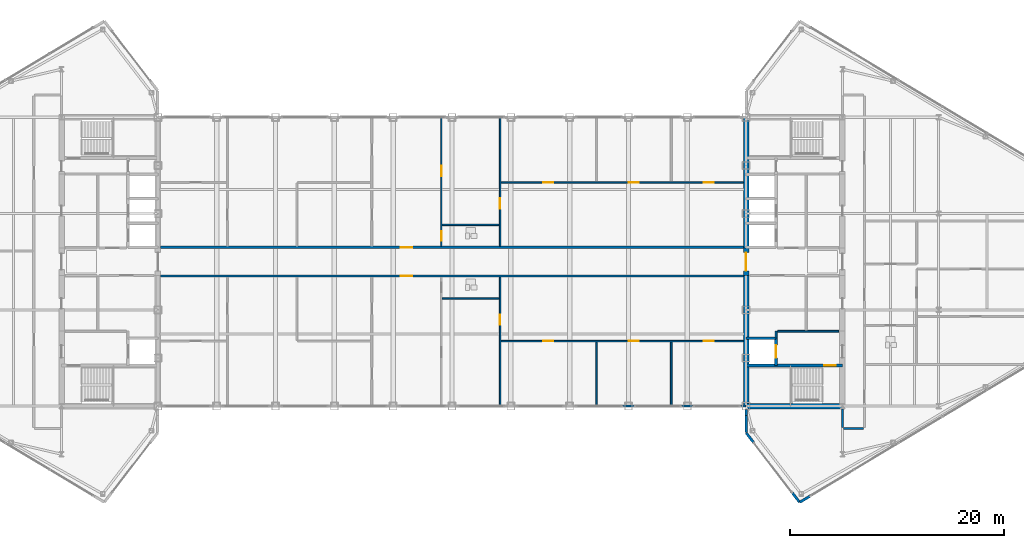
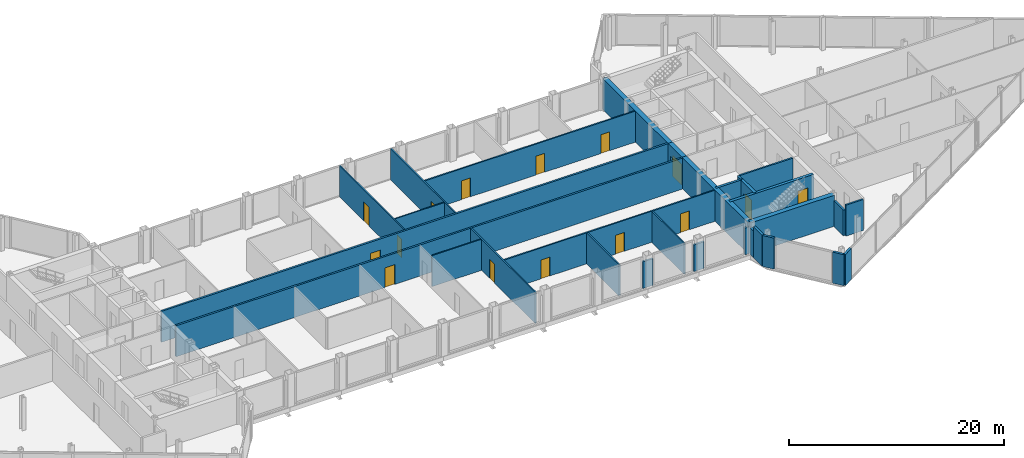
# One storey, part 23 of 28: 30 walls, 15 doors, 15 openings.
"""IFC4 building model written with IfcOpenShell, lengths in metres."""

import ifcopenshell
import ifcopenshell.guid

model = None  # the IFC model being written
_history = None  # IfcOwnerHistory: only IFC2X3 demands one
_inside = {}  # id of a spatial element -> (the spatial element, [elements in it])
_under = {}  # id of a project, library or spatial element -> (it, [spatial elements below it])
_declared = {}  # id of a project -> (the project, [libraries it declares])
_typed = {}  # id of a type object -> (the type object, [elements of that type])
_made_of = {}  # id of a material, layer set ... -> (it, [elements and type objects made of it])


def new_model(schema):
    """Start an empty IFC model of exactly this schema.

    Asked for "IFC4X3", IfcOpenShell would pick the latest addendum, in which some entities
    have other attributes; the version numbers below select the first issue.
    IFC2X3 requires an IfcOwnerHistory on every rooted entity: one is made here for all.
    """
    global model, _history
    if schema == "IFC4X3":
        model = ifcopenshell.file(schema_version=(4, 3, 0, 0))
    else:
        model = ifcopenshell.file(schema=schema)
    _inside.clear()
    _under.clear()
    _declared.clear()
    _typed.clear()
    _made_of.clear()
    _history = None
    if model.schema == "IFC2X3":
        org = make("IfcOrganization", Name="unknown")
        user = make(
            "IfcPersonAndOrganization",
            ThePerson=make("IfcPerson", FamilyName="unknown"),
            TheOrganization=org,
        )
        app = make(
            "IfcApplication",
            ApplicationDeveloper=org,
            Version="unknown",
            ApplicationFullName="unknown",
            ApplicationIdentifier="unknown",
        )
        _history = make(
            "IfcOwnerHistory",
            OwningUser=user,
            OwningApplication=app,
            ChangeAction="ADDED",
            CreationDate=0,
        )
    return model


def make(cls, **values):
    """One entity of the class cls with the attributes given. An attribute that is None is left unset."""
    return model.create_entity(
        cls, **{name: value for name, value in values.items() if value is not None}
    )


def rooted(cls, **values):
    """An entity with a GlobalId (a new one), such as an element, a storey or a relation."""
    return make(cls, GlobalId=ifcopenshell.guid.new(), OwnerHistory=_history, **values)


def si_unit(unit_type, name, prefix=None):
    """IfcSIUnit, for example si_unit("LENGTHUNIT", "METRE", prefix="MILLI")."""
    return make("IfcSIUnit", UnitType=unit_type, Prefix=prefix, Name=name)


def assignment(units):
    """IfcUnitAssignment: the units of a project."""
    return None if units is None else make("IfcUnitAssignment", Units=units)


def point(xyz):
    """IfcCartesianPoint."""
    return None if xyz is None else make("IfcCartesianPoint", Coordinates=xyz)


def direction(xyz):
    """IfcDirection."""
    return None if xyz is None else make("IfcDirection", DirectionRatios=xyz)


def frame(location, z_axis=None, x_axis=None):
    """IfcAxis2Placement3D, a coordinate frame: its origin and axes. An axis left out is left unset."""
    return make(
        "IfcAxis2Placement3D",
        Location=point(location),
        Axis=direction(z_axis),
        RefDirection=direction(x_axis),
    )


def frame_2d(location, x_axis=None):
    """IfcAxis2Placement2D, a coordinate frame in the plane: its origin and x axis."""
    return make(
        "IfcAxis2Placement2D", Location=point(location), RefDirection=direction(x_axis)
    )


def origin():
    """The frame at (0, 0, 0) with its axes left unset."""
    return frame((0.0, 0.0, 0.0))


def place(relative_to, where):
    """IfcLocalPlacement: puts the frame where relative to a parent placement (None: the world)."""
    return make(
        "IfcLocalPlacement", PlacementRelTo=relative_to, RelativePlacement=where
    )


def context(
    kind, dimensions, precision=None, world=None, true_north=None, identifier=None
):
    """IfcGeometricRepresentationContext, for example the 3D "Model" context."""
    return make(
        "IfcGeometricRepresentationContext",
        ContextIdentifier=identifier,
        ContextType=kind,
        CoordinateSpaceDimension=dimensions,
        Precision=precision,
        WorldCoordinateSystem=world,
        TrueNorth=true_north,
    )


def subcontext(parent, identifier, kind, view, scale=None):
    """IfcGeometricRepresentationSubContext, for example "Body" below "Model"."""
    return make(
        "IfcGeometricRepresentationSubContext",
        ContextIdentifier=identifier,
        ContextType=kind,
        ParentContext=parent,
        TargetScale=scale,
        TargetView=view,
    )


def project(units=None, contexts=None):
    """IfcProject with its units and contexts."""
    return rooted(
        "IfcProject",
        Name="project",
        RepresentationContexts=contexts,
        UnitsInContext=assignment(units),
    )


def spatial(cls, under=None, at=None, **own):
    """A site, building, storey or space (cls), placed at a placement, below another one or the project."""
    s = rooted(cls, ObjectPlacement=at, **own)
    if under is not None:
        _under.setdefault(under.id(), (under, []))[1].append(s)
    return s


def profile(cls, at=None, kind="AREA", **sizes):
    """A parametric profile (cls). Its sizes go by their IFC names, for example OverallWidth=200.0."""
    return make(cls, ProfileType=kind, Position=at, **sizes)


def rectangle(**sizes):
    """IfcRectangleProfileDef."""
    return profile("IfcRectangleProfileDef", **sizes)


def extrude(swept, where, along, depth):
    """IfcExtrudedAreaSolid: the profile swept, set in the frame where, extruded along a direction by depth."""
    return make(
        "IfcExtrudedAreaSolid",
        SweptArea=swept,
        Position=where,
        ExtrudedDirection=direction(along),
        Depth=depth,
    )


def shape(context_of_items, identifier, shape_type, items):
    """IfcShapeRepresentation: the items that make up one representation, for example the "Body"."""
    return make(
        "IfcShapeRepresentation",
        ContextOfItems=context_of_items,
        RepresentationIdentifier=identifier,
        RepresentationType=shape_type,
        Items=items,
    )


def source(mapping_origin, context_of_items, identifier, shape_type, items):
    """IfcRepresentationMap: a shape defined once, which mapped items show again and again."""
    return make(
        "IfcRepresentationMap",
        MappingOrigin=mapping_origin,
        MappedRepresentation=shape(context_of_items, identifier, shape_type, items),
    )


def transform(
    local_origin,
    x_axis=None,
    y_axis=None,
    z_axis=None,
    scale=None,
    scale2=None,
    scale3=None,
    uniform=True,
):
    """IfcCartesianTransformationOperator3D, or its non-uniform kind. x_axis, y_axis, z_axis: its Axis1, 2, 3."""
    if uniform:
        return make(
            "IfcCartesianTransformationOperator3D",
            Axis1=direction(x_axis),
            Axis2=direction(y_axis),
            LocalOrigin=point(local_origin),
            Scale=scale,
            Axis3=direction(z_axis),
        )
    return make(
        "IfcCartesianTransformationOperator3DnonUniform",
        Axis1=direction(x_axis),
        Axis2=direction(y_axis),
        LocalOrigin=point(local_origin),
        Scale=scale,
        Axis3=direction(z_axis),
        Scale2=scale2,
        Scale3=scale3,
    )


def mapped(mapping_source, mapping_target):
    """IfcMappedItem: shows the shape of a source again, moved by a transform."""
    return make(
        "IfcMappedItem", MappingSource=mapping_source, MappingTarget=mapping_target
    )


def material(Name=None, Category=None):
    """IfcMaterial."""
    return make("IfcMaterial", Name=Name, Category=Category)


def layer(
    of_material, thickness, ventilated=None, Name=None, Category=None, Priority=None
):
    """IfcMaterialLayer: one layer of a wall or slab, of a material (None: an air gap)."""
    return make(
        "IfcMaterialLayer",
        Material=of_material,
        LayerThickness=thickness,
        IsVentilated=ventilated,
        Name=Name,
        Category=Category,
        Priority=Priority,
    )


def layer_set(layers, Name=None):
    """IfcMaterialLayerSet."""
    return make("IfcMaterialLayerSet", MaterialLayers=layers, LayerSetName=Name)


def made_of(thing, what):
    """Note that an element or type object is made of a material, layer set ...; save() writes the relation."""
    if what is not None:
        _made_of.setdefault(what.id(), (what, []))[1].append(thing)
    return thing


def type_object(cls, material=None, **own):
    """A type object (cls), such as IfcWallType, which elements share."""
    return made_of(rooted(cls, **own), material)


def type_shapes(of_type, sources):
    """Give a type object the sources (RepresentationMaps) that its elements show as mapped items."""
    of_type.RepresentationMaps = sources


def element(
    cls,
    number,
    at=None,
    inside=None,
    cuts=None,
    type_object=None,
    material=None,
    context=None,
    identifier="Body",
    shape_type=None,
    held_by="IfcProductDefinitionShape",
    body=None,
    shapes=None,
    **own,
):
    """One element of the class cls, such as IfcWall. Its Tag is "e" and its number.

    at: its placement. inside: the storey or other place that contains it. cuts: it is an
    opening in that element (IfcRelVoidsElement). A single representation is given by context,
    identifier, shape_type and body (its items); several are given by shapes. held_by: the class
    of the entity that holds the representations. save() writes the other relations.
    """
    e = rooted(cls, Tag="e%d" % number, ObjectPlacement=at, **own)
    if body is not None:
        shapes = [shape(context, identifier, shape_type, body)]
    if shapes is not None:
        e.Representation = make(held_by, Representations=shapes)
    if inside is not None:
        _inside.setdefault(inside.id(), (inside, []))[1].append(e)
    if cuts is not None:
        rooted(
            "IfcRelVoidsElement", RelatingBuildingElement=cuts, RelatedOpeningElement=e
        )
    if type_object is not None:
        _typed.setdefault(type_object.id(), (type_object, []))[1].append(e)
    return made_of(e, material)


def fill(opening, filler):
    """IfcRelFillsElement: the door or window that sits in an opening."""
    return rooted(
        "IfcRelFillsElement",
        RelatingOpeningElement=opening,
        RelatedBuildingElement=filler,
    )


def aggregate(whole, parts):
    """IfcRelAggregates: a whole, such as a stair, and the parts it consists of."""
    return rooted("IfcRelAggregates", RelatingObject=whole, RelatedObjects=parts)


def save(model, path):
    """Write the relations noted so far, then the file.

    IfcRelAggregates (storeys below a building ...), IfcRelContainedInSpatialStructure (elements
    in a storey), IfcRelDefinesByType, IfcRelAssociatesMaterial and IfcRelDeclares: one each for
    every whole, place, type object, material and project.
    """
    for whole, parts in _under.values():
        aggregate(whole, parts)
    for where, things in _inside.values():
        rooted(
            "IfcRelContainedInSpatialStructure",
            RelatedElements=things,
            RelatingStructure=where,
        )
    for kind, things in _typed.values():
        rooted("IfcRelDefinesByType", RelatedObjects=things, RelatingType=kind)
    for what, things in _made_of.values():
        rooted("IfcRelAssociatesMaterial", RelatedObjects=things, RelatingMaterial=what)
    for by, libraries in _declared.values():
        rooted("IfcRelDeclares", RelatingContext=by, RelatedDefinitions=libraries)
    model.write(path)


model = new_model("IFC4")

# Units and contexts
model_context = context("Model", 3, precision=1e-05, world=origin(), true_north=direction((0.0, 1.0)))
body_context = subcontext(model_context, "Body", "Model", "MODEL_VIEW")
ifc_project = project(units=[si_unit("LENGTHUNIT", "METRE"), si_unit("AREAUNIT", "SQUARE_METRE"), si_unit("VOLUMEUNIT", "CUBIC_METRE"), si_unit("PLANEANGLEUNIT", "RADIAN"), si_unit("MASSUNIT", "GRAM", prefix="KILO")], contexts=[model_context])

# Site, building, storey
site_placement = place(None, origin())
site = spatial("IfcSite", under=ifc_project, at=site_placement, CompositionType="ELEMENT")
building_placement = place(site_placement, origin())
building = spatial("IfcBuilding", under=site, at=building_placement, Name="Seokmaru Belvedere", CompositionType="ELEMENT")
storey_placement = place(building_placement, frame((0.0, 0.0, 261.89990234375)))
storey = spatial("IfcBuildingStorey", under=building, at=storey_placement, Name="L69", CompositionType="ELEMENT", Elevation=261.89990234375)

# Wall, openings, doors
ifc_material_1 = material(Name="Fire-Rated Gypsum Shaftwall")
ifc_layer_1 = layer(ifc_material_1, 0.14990234375)
ifc_layer_set_1 = layer_set([ifc_layer_1], Name="Fire-Rated Gypsum Shaftwall")
wall_type_1 = type_object("IfcWallType", Name="Apartment Fire-Acoustic Room Partition 150", PredefinedType="PARTITIONING", material=ifc_layer_set_1)
wall_1_placement = place(storey_placement, frame((4.5849609375, -7.419921875, 0.0), z_axis=(0.0, 0.0, 1.0), x_axis=(1.0, 0.0, 0.0)))
wall_1 = element("IfcWall", 1, at=wall_1_placement, inside=storey, type_object=wall_type_1, Name="L69 Interior Partition 006", PredefinedType="PARTITIONING", context=body_context, shape_type="SweptSolid", body=[
    extrude(rectangle(XDim=22.66015625, YDim=0.14990234375, at=frame_2d((11.330078125, 0.0))), origin(), (0.0, 0.0, 1.0), 3.530029296875),
])
opening_1_placement = place(wall_1_placement, frame((3.93994140625, 0.0, 0.0)))
opening_1 = element("IfcOpeningElement", 2, at=opening_1_placement, cuts=wall_1, Name="Opening D05", PredefinedType="OPENING", context=body_context, shape_type="SweptSolid", body=[
    extrude(rectangle(XDim=0.949951171875, YDim=2.14990234375, at=frame_2d((0.47509765625, 1.074951171875))), frame((0.0, 0.0849609375, 0.0), z_axis=(0.0, -1.0, 0.0), x_axis=(1.0, 0.0, 0.0)), (0.0, 0.0, 1.0), 0.169921875),
])
opening_2_placement = place(wall_1_placement, frame((11.93994140625, 0.0, 0.0)))
opening_2 = element("IfcOpeningElement", 3, at=opening_2_placement, cuts=wall_1, Name="Opening D05", PredefinedType="OPENING", context=body_context, shape_type="SweptSolid", body=[
    extrude(rectangle(XDim=0.949951171875, YDim=2.14990234375, at=frame_2d((0.47509765625, 1.074951171875))), frame((0.0, 0.0849609375, 0.0), z_axis=(0.0, -1.0, 0.0), x_axis=(1.0, 0.0, 0.0)), (0.0, 0.0, 1.0), 0.169921875),
])
opening_3_placement = place(wall_1_placement, frame((18.93994140625, 0.0, 0.0)))
opening_3 = element("IfcOpeningElement", 4, at=opening_3_placement, cuts=wall_1, Name="Opening D05", PredefinedType="OPENING", context=body_context, shape_type="SweptSolid", body=[
    extrude(rectangle(XDim=0.949951171875, YDim=2.14990234375, at=frame_2d((0.47509765625, 1.074951171875))), frame((0.0, 0.0849609375, 0.0), z_axis=(0.0, -1.0, 0.0), x_axis=(1.0, 0.0, 0.0)), (0.0, 0.0, 1.0), 0.169921875),
])
ifc_material_2 = material(Name="Engineered White Oak Timber", Category="wood")
door_type_1 = type_object("IfcDoorType", Name="Apartment Interior Fire-Rated Oak Door 950x2150", OperationType="NOTDEFINED", PredefinedType="DOOR", material=ifc_material_2)
shared_shape_1 = source(origin(), body_context, "Body", "SweptSolid", [
    extrude(rectangle(XDim=0.949951171875, YDim=2.14990234375, at=frame_2d((0.47509765625, 1.074951171875))), frame((0.0, 0.02490234375, 0.0), z_axis=(0.0, -1.0, 0.0), x_axis=(1.0, 0.0, 0.0)), (0.0, 0.0, 1.0), 0.050048828125),
])
type_shapes(door_type_1, [shared_shape_1])
door_1_placement = place(opening_1_placement, origin())
door_1 = element("IfcDoor", 5, at=door_1_placement, inside=storey, type_object=door_type_1, Name="L69 Interior Door 022", OperationType="SINGLE_SWING_LEFT", OverallHeight=2.14990234375, OverallWidth=0.949951171875, PredefinedType="DOOR", context=body_context, shape_type="MappedRepresentation", body=[
    mapped(shared_shape_1, transform((0.0, 0.0, 0.0), scale=1.0)),
])
fill(opening_1, door_1)
door_2_placement = place(opening_2_placement, origin())
door_2 = element("IfcDoor", 6, at=door_2_placement, inside=storey, type_object=door_type_1, Name="L69 Interior Door 023", OperationType="SINGLE_SWING_RIGHT", OverallHeight=2.14990234375, OverallWidth=0.949951171875, PredefinedType="DOOR", context=body_context, shape_type="MappedRepresentation", body=[
    mapped(shared_shape_1, transform((0.0, 0.0, 0.0), scale=1.0)),
])
fill(opening_2, door_2)
door_3_placement = place(opening_3_placement, origin())
door_3 = element("IfcDoor", 7, at=door_3_placement, inside=storey, type_object=door_type_1, Name="L69 Interior Door 024", OperationType="SINGLE_SWING_LEFT", OverallHeight=2.14990234375, OverallWidth=0.949951171875, PredefinedType="DOOR", context=body_context, shape_type="MappedRepresentation", body=[
    mapped(shared_shape_1, transform((0.0, 0.0, 0.0), scale=1.0)),
])
fill(opening_3, door_3)

wall_2_placement = place(storey_placement, frame((4.5849609375, 7.419921875, 0.0), z_axis=(0.0, 0.0, 1.0), x_axis=(1.0, 0.0, 0.0)))
wall_2 = element("IfcWall", 8, at=wall_2_placement, inside=storey, type_object=wall_type_1, Name="L69 Interior Partition 019", PredefinedType="PARTITIONING", context=body_context, shape_type="SweptSolid", body=[
    extrude(rectangle(XDim=22.66015625, YDim=0.14990234375, at=frame_2d((11.330078125, 0.0))), origin(), (0.0, 0.0, 1.0), 3.530029296875),
])
opening_4_placement = place(wall_2_placement, frame((3.93994140625, 0.0, 0.0)))
opening_4 = element("IfcOpeningElement", 9, at=opening_4_placement, cuts=wall_2, Name="Opening D05", PredefinedType="OPENING", context=body_context, shape_type="SweptSolid", body=[
    extrude(rectangle(XDim=0.949951171875, YDim=2.14990234375, at=frame_2d((0.47509765625, 1.074951171875))), frame((0.0, 0.0849609375, 0.0), z_axis=(0.0, -1.0, 0.0), x_axis=(1.0, 0.0, 0.0)), (0.0, 0.0, 1.0), 0.169921875),
])
opening_5_placement = place(wall_2_placement, frame((11.93994140625, 0.0, 0.0)))
opening_5 = element("IfcOpeningElement", 10, at=opening_5_placement, cuts=wall_2, Name="Opening D05", PredefinedType="OPENING", context=body_context, shape_type="SweptSolid", body=[
    extrude(rectangle(XDim=0.949951171875, YDim=2.14990234375, at=frame_2d((0.47509765625, 1.074951171875))), frame((0.0, 0.0849609375, 0.0), z_axis=(0.0, -1.0, 0.0), x_axis=(1.0, 0.0, 0.0)), (0.0, 0.0, 1.0), 0.169921875),
])
opening_6_placement = place(wall_2_placement, frame((18.93994140625, 0.0, 0.0)))
opening_6 = element("IfcOpeningElement", 11, at=opening_6_placement, cuts=wall_2, Name="Opening D05", PredefinedType="OPENING", context=body_context, shape_type="SweptSolid", body=[
    extrude(rectangle(XDim=0.949951171875, YDim=2.14990234375, at=frame_2d((0.47509765625, 1.074951171875))), frame((0.0, 0.0849609375, 0.0), z_axis=(0.0, -1.0, 0.0), x_axis=(1.0, 0.0, 0.0)), (0.0, 0.0, 1.0), 0.169921875),
])
door_4_placement = place(opening_4_placement, origin())
door_4 = element("IfcDoor", 12, at=door_4_placement, inside=storey, type_object=door_type_1, Name="L69 Interior Door 033", OperationType="SINGLE_SWING_LEFT", OverallHeight=2.14990234375, OverallWidth=0.949951171875, PredefinedType="DOOR", context=body_context, shape_type="MappedRepresentation", body=[
    mapped(shared_shape_1, transform((0.0, 0.0, 0.0), scale=1.0)),
])
fill(opening_4, door_4)
door_5_placement = place(opening_5_placement, origin())
door_5 = element("IfcDoor", 13, at=door_5_placement, inside=storey, type_object=door_type_1, Name="L69 Interior Door 034", OperationType="SINGLE_SWING_RIGHT", OverallHeight=2.14990234375, OverallWidth=0.949951171875, PredefinedType="DOOR", context=body_context, shape_type="MappedRepresentation", body=[
    mapped(shared_shape_1, transform((0.0, 0.0, 0.0), scale=1.0)),
])
fill(opening_5, door_5)
door_6_placement = place(opening_6_placement, origin())
door_6 = element("IfcDoor", 14, at=door_6_placement, inside=storey, type_object=door_type_1, Name="L69 Interior Door 035", OperationType="SINGLE_SWING_LEFT", OverallHeight=2.14990234375, OverallWidth=0.949951171875, PredefinedType="DOOR", context=body_context, shape_type="MappedRepresentation", body=[
    mapped(shared_shape_1, transform((0.0, 0.0, 0.0), scale=1.0)),
])
fill(opening_6, door_6)

# Wall, opening, door
wall_3_placement = place(storey_placement, frame((4.5, -13.5, 0.0), z_axis=(0.0, 0.0, 1.0), x_axis=(0.0, 1.0, 0.0)))
wall_3 = element("IfcWall", 15, at=wall_3_placement, inside=storey, type_object=wall_type_1, Name="L69 Interior Partition 033", PredefinedType="PARTITIONING", context=body_context, shape_type="SweptSolid", body=[
    extrude(rectangle(XDim=12.06494140625, YDim=0.14990234375, at=frame_2d((6.032470703125, 0.0))), origin(), (0.0, 0.0, 1.0), 3.530029296875),
])
opening_7_placement = place(wall_3_placement, frame((7.58740234375, 0.0, 0.0)))
opening_7 = element("IfcOpeningElement", 16, at=opening_7_placement, cuts=wall_3, Name="Opening D05", PredefinedType="OPENING", context=body_context, shape_type="SweptSolid", body=[
    extrude(rectangle(XDim=0.949951171875, YDim=2.14990234375, at=frame_2d((0.47509765625, 1.074951171875))), frame((0.0, 0.0849609375, 0.0), z_axis=(0.0, -1.0, 0.0), x_axis=(1.0, 0.0, 0.0)), (0.0, 0.0, 1.0), 0.169921875),
])
door_7_placement = place(opening_7_placement, origin())
door_7 = element("IfcDoor", 17, at=door_7_placement, inside=storey, type_object=door_type_1, Name="L69 Interior Door 021", OperationType="SINGLE_SWING_LEFT", OverallHeight=2.14990234375, OverallWidth=0.949951171875, PredefinedType="DOOR", context=body_context, shape_type="MappedRepresentation", body=[
    mapped(shared_shape_1, transform((0.0, 0.0, 0.0), scale=1.0)),
])
fill(opening_7, door_7)

wall_4_placement = place(storey_placement, frame((4.5, 1.43505859375, 0.0), z_axis=(0.0, 0.0, 1.0), x_axis=(0.0, 1.0, 0.0)))
wall_4 = element("IfcWall", 18, at=wall_4_placement, inside=storey, type_object=wall_type_1, Name="L69 Interior Partition 034", PredefinedType="PARTITIONING", context=body_context, shape_type="SweptSolid", body=[
    extrude(rectangle(XDim=12.06494140625, YDim=0.14990234375, at=frame_2d((6.032470703125, 0.0))), origin(), (0.0, 0.0, 1.0), 3.530029296875),
])
opening_8_placement = place(wall_4_placement, frame((3.527587890625, 0.0, 0.0)))
opening_8 = element("IfcOpeningElement", 19, at=opening_8_placement, cuts=wall_4, Name="Opening D05", PredefinedType="OPENING", context=body_context, shape_type="SweptSolid", body=[
    extrude(rectangle(XDim=0.949951171875, YDim=2.14990234375, at=frame_2d((0.47509765625, 1.074951171875))), frame((0.0, 0.0849609375, 0.0), z_axis=(0.0, -1.0, 0.0), x_axis=(1.0, 0.0, 0.0)), (0.0, 0.0, 1.0), 0.169921875),
])
door_8_placement = place(opening_8_placement, origin())
door_8 = element("IfcDoor", 20, at=door_8_placement, inside=storey, type_object=door_type_1, Name="L69 Interior Door 032", OperationType="SINGLE_SWING_LEFT", OverallHeight=2.14990234375, OverallWidth=0.949951171875, PredefinedType="DOOR", context=body_context, shape_type="MappedRepresentation", body=[
    mapped(shared_shape_1, transform((0.0, 0.0, 0.0), scale=1.0)),
])
fill(opening_8, door_8)

# Walls
for number, where, z_axis, x_axis, name in (
    (21, (13.5, -13.5, 0.0), (0.0, 0.0, 1.0), (0.0, 1.0, 0.0), "L69 Interior Partition 035"),
    (22, (20.5, -13.5, 0.0), (0.0, 0.0, 1.0), (0.0, 1.0, 0.0), "L69 Interior Partition 037"),
):
    element("IfcWall", number, at=place(storey_placement, frame(where, z_axis=z_axis, x_axis=x_axis)), inside=storey, type_object=wall_type_1, Name=name, PredefinedType="PARTITIONING", context=body_context, shape_type="SweptSolid", body=[
        extrude(rectangle(XDim=5.989990234375, YDim=0.14990234375, at=frame_2d((2.9951171875, 0.0))), origin(), (0.0, 0.0, 1.0), 3.530029296875),
    ])
ifc_material_3 = material(Name="Anodised Bronze Aluminium", Category="aluminium")
ifc_layer_2 = layer(ifc_material_3, 0.2099609375)
ifc_layer_set_2 = layer_set([ifc_layer_2], Name="Anodised Bronze Aluminium")
wall_type_2 = type_object("IfcWallType", Name="Bridge Column Spandrel Closure Pier 210", PredefinedType="SOLIDWALL", material=ifc_layer_set_2)
for number, where, z_axis, x_axis, name in (
    (23, (15.949951171875, -13.5, 0.0), (0.0, 0.0, 1.0), (1.0, 0.0, 0.0), "L69 Bridge South Column Closure Pier 09"),
    (24, (21.449951171875, -13.5, 0.0), (0.0, 0.0, 1.0), (1.0, 0.0, 0.0), "L69 Bridge South Column Closure Pier 10"),
):
    element("IfcWall", number, at=place(storey_placement, frame(where, z_axis=z_axis, x_axis=x_axis)), inside=storey, type_object=wall_type_2, Name=name, PredefinedType="SOLIDWALL", context=body_context, shape_type="SweptSolid", body=[
        extrude(rectangle(XDim=1.10009765625, YDim=0.2099609375, at=frame_2d((0.550048828125, 0.0))), origin(), (0.0, 0.0, 1.0), 3.030029296875),
    ])
wall_5_placement = place(storey_placement, frame((26.949951171875, -13.5, 0.0), z_axis=(0.0, 0.0, 1.0), x_axis=(1.0, 0.0, 0.0)))
element("IfcWall", 25, at=wall_5_placement, inside=storey, type_object=wall_type_2, Name="L69 Bridge South Column Closure Pier 11", PredefinedType="SOLIDWALL", context=body_context, shape_type="SweptSolid", body=[
    extrude(rectangle(XDim=0.5400390625, YDim=0.2099609375, at=frame_2d((0.27001953125, 0.0))), origin(), (0.0, 0.0, 1.0), 3.030029296875),
])
ifc_layer_3 = layer(ifc_material_1, 0.179931640625)
ifc_layer_set_3 = layer_set([ifc_layer_3], Name="Fire-Rated Gypsum Shaftwall")
wall_type_3 = type_object("IfcWallType", Name="Core Service Fire Partition 180", PredefinedType="PARTITIONING", material=ifc_layer_set_3)
wall_6_placement = place(storey_placement, frame((30.449951171875, -6.5, 0.0), z_axis=(0.0, 0.0, 1.0), x_axis=(1.0, 0.0, 0.0)))
element("IfcWall", 26, at=wall_6_placement, inside=storey, type_object=wall_type_3, Name="L69 East Firefighting Lobby Partition", PredefinedType="PARTITIONING", context=body_context, shape_type="SweptSolid", body=[
    extrude(rectangle(XDim=5.699951171875, YDim=0.179931640625, at=frame_2d((2.85009765625, 0.0))), origin(), (0.0, 0.0, 1.0), 3.530029296875),
])
wall_7_placement = place(storey_placement, frame((30.300048828125, -7.1201171875, 0.0), z_axis=(0.0, 0.0, 1.0), x_axis=(0.0, 1.0, 0.0)))
element("IfcWall", 27, at=wall_7_placement, inside=storey, type_object=wall_type_3, Name="L69 East Firefighting Lobby East Closure Wall", PredefinedType="PARTITIONING", context=body_context, shape_type="SweptSolid", body=[
    extrude(rectangle(XDim=0.6201171875, YDim=0.179931640625, at=frame_2d((0.31005859375, 0.0))), origin(), (0.0, 0.0, 1.0), 3.530029296875),
])
ifc_material_4 = material(Name="Concrete C50 (50 MPa)", Category="concrete")
ifc_layer_4 = layer(ifc_material_4, 0.25)
ifc_layer_set_4 = layer_set([ifc_layer_4], Name="Concrete C50 (50 MPa)")
wall_type_4 = type_object("IfcWallType", Name="Hoistway Transverse Concrete Divider Wall 250", PredefinedType="SHEAR", material=ifc_layer_set_4)
wall_8_placement = place(storey_placement, frame((27.5, -7.14990234375, 0.0), z_axis=(0.0, 0.0, 1.0), x_axis=(1.0, 0.0, 0.0)))
element("IfcWall", 28, at=wall_8_placement, inside=storey, type_object=wall_type_4, Name="L69 East Hoistway Divider Core Wall 1", PredefinedType="SHEAR", context=body_context, shape_type="SweptSolid", body=[
    extrude(rectangle(XDim=2.800048828125, YDim=0.25, at=frame_2d((1.39990234375, 0.0))), origin(), (0.0, 0.0, 1.0), 3.530029296875),
])
ifc_layer_5 = layer(ifc_material_1, 0.199951171875)
ifc_layer_set_5 = layer_set([ifc_layer_5], Name="Fire-Rated Gypsum Shaftwall")
wall_type_5 = type_object("IfcWallType", Name="Inter-Tenancy Fire Compartment Partition 200", PredefinedType="PARTITIONING", material=ifc_layer_set_5)
wall_9_placement = place(storey_placement, frame((36.5849609375, -15.60009765625, 0.0), z_axis=(0.0, 0.0, 1.0), x_axis=(1.0, 0.0, 0.0)))
element("IfcWall", 29, at=wall_9_placement, inside=storey, type_object=wall_type_5, Name="L69 Interior Partition 002", PredefinedType="PARTITIONING", context=body_context, shape_type="SweptSolid", body=[
    extrude(rectangle(XDim=1.880126953125, YDim=0.199951171875, at=frame_2d((0.93994140625, 0.0))), origin(), (0.0, 0.0, 1.0), 3.530029296875),
])

# Wall, opening, door
wall_10_placement = place(storey_placement, frame((-27.2451171875, -1.35009765625, 0.0), z_axis=(0.0, 0.0, 1.0), x_axis=(1.0, 0.0, 0.0)))
wall_10 = element("IfcWall", 30, at=wall_10_placement, inside=storey, type_object=wall_type_5, Name="L69 Interior Partition 010", PredefinedType="PARTITIONING", context=body_context, shape_type="SweptSolid", body=[
    extrude(rectangle(XDim=54.490234375, YDim=0.199951171875, at=frame_2d((27.2451171875, 0.0))), origin(), (0.0, 0.0, 1.0), 3.530029296875),
])
opening_9_placement = place(wall_10_placement, frame((22.469970703125, 0.0, 0.0)))
opening_9 = element("IfcOpeningElement", 31, at=opening_9_placement, cuts=wall_10, Name="Opening D03", PredefinedType="OPENING", context=body_context, shape_type="SweptSolid", body=[
    extrude(rectangle(XDim=1.050048828125, YDim=2.25, at=frame_2d((0.52490234375, 1.125))), frame((0.0, 0.10986328125, 0.0), z_axis=(0.0, -1.0, 0.0), x_axis=(1.0, 0.0, 0.0)), (0.0, 0.0, 1.0), 0.219970703125),
])
ifc_material_5 = material(Name="Fire-Rated Steel Leaf", Category="steel")
door_type_2 = type_object("IfcDoorType", Name="Apartment Entrance Fire Door 1050x2250", OperationType="NOTDEFINED", PredefinedType="DOOR", material=ifc_material_5)
shared_shape_2 = source(origin(), body_context, "Body", "SweptSolid", [
    extrude(rectangle(XDim=1.050048828125, YDim=2.25, at=frame_2d((0.52490234375, 1.125))), frame((0.0, 0.02490234375, 0.0), z_axis=(0.0, -1.0, 0.0), x_axis=(1.0, 0.0, 0.0)), (0.0, 0.0, 1.0), 0.050048828125),
])
type_shapes(door_type_2, [shared_shape_2])
door_9_placement = place(opening_9_placement, origin())
door_9 = element("IfcDoor", 32, at=door_9_placement, inside=storey, type_object=door_type_2, Name="L69 Interior Door 014", OperationType="SINGLE_SWING_LEFT", OverallHeight=2.25, OverallWidth=1.050048828125, PredefinedType="DOOR", context=body_context, shape_type="MappedRepresentation", body=[
    mapped(shared_shape_2, transform((0.0, 0.0, 0.0), scale=1.0)),
])
fill(opening_9, door_9)

wall_11_placement = place(storey_placement, frame((-27.2451171875, 1.35009765625, 0.0), z_axis=(0.0, 0.0, 1.0), x_axis=(1.0, 0.0, 0.0)))
wall_11 = element("IfcWall", 33, at=wall_11_placement, inside=storey, type_object=wall_type_5, Name="L69 Interior Partition 014", PredefinedType="PARTITIONING", context=body_context, shape_type="SweptSolid", body=[
    extrude(rectangle(XDim=54.490234375, YDim=0.199951171875, at=frame_2d((27.2451171875, 0.0))), origin(), (0.0, 0.0, 1.0), 3.530029296875),
])
opening_10_placement = place(wall_11_placement, frame((22.469970703125, 0.0, 0.0)))
opening_10 = element("IfcOpeningElement", 34, at=opening_10_placement, cuts=wall_11, Name="Opening D03", PredefinedType="OPENING", context=body_context, shape_type="SweptSolid", body=[
    extrude(rectangle(XDim=1.050048828125, YDim=2.25, at=frame_2d((0.52490234375, 1.125))), frame((0.0, 0.10986328125, 0.0), z_axis=(0.0, -1.0, 0.0), x_axis=(1.0, 0.0, 0.0)), (0.0, 0.0, 1.0), 0.219970703125),
])
door_10_placement = place(opening_10_placement, origin())
door_10 = element("IfcDoor", 35, at=door_10_placement, inside=storey, type_object=door_type_2, Name="L69 Interior Door 025", OperationType="SINGLE_SWING_RIGHT", OverallHeight=2.25, OverallWidth=1.050048828125, PredefinedType="DOOR", context=body_context, shape_type="MappedRepresentation", body=[
    mapped(shared_shape_2, transform((0.0, 0.0, 0.0), scale=1.0)),
])
fill(opening_10, door_10)

# Wall
wall_12_placement = place(storey_placement, frame((36.5, -15.514892578125, 0.0), z_axis=(0.0, 0.0, 1.0), x_axis=(0.0, 1.0, 0.0)))
element("IfcWall", 36, at=wall_12_placement, inside=storey, type_object=wall_type_5, Name="L69 Interior Partition 039", PredefinedType="PARTITIONING", context=body_context, shape_type="SweptSolid", body=[
    extrude(rectangle(XDim=1.760009765625, YDim=0.199951171875, at=frame_2d((0.8798828125, 0.0))), origin(), (0.0, 0.0, 1.0), 2.93017578125),
])

# Wall, opening, door
ifc_layer_6 = layer(ifc_material_4, 0.300048828125)
ifc_layer_set_6 = layer_set([ifc_layer_6], Name="Concrete C50 (50 MPa)")
wall_type_6 = type_object("IfcWallType", Name="Internal Core Stair and Hoistway Wall 300", PredefinedType="SHEAR", material=ifc_layer_set_6)
wall_13_placement = place(storey_placement, frame((27.5, -9.699951171875, 0.0), z_axis=(0.0, 0.0, 1.0), x_axis=(1.0, 0.0, 0.0)))
wall_13 = element("IfcWall", 37, at=wall_13_placement, inside=storey, type_object=wall_type_6, Name="L69 East Stair ST-1 Enclosure Wall", PredefinedType="SHEAR", context=body_context, shape_type="SweptSolid", body=[
    extrude(rectangle(XDim=9.0, YDim=0.300048828125, at=frame_2d((4.5, 0.0))), origin(), (0.0, 0.0, 1.0), 3.530029296875),
])
opening_11_placement = place(wall_13_placement, frame((7.300048828125, 0.0, 0.0)))
opening_11 = element("IfcOpeningElement", 38, at=opening_11_placement, cuts=wall_13, Name="Opening D01", PredefinedType="OPENING", context=body_context, shape_type="SweptSolid", body=[
    extrude(rectangle(XDim=1.10009765625, YDim=2.199951171875, at=frame_2d((0.550048828125, 1.10009765625))), frame((0.0, 0.16015625, 0.0), z_axis=(0.0, -1.0, 0.0), x_axis=(1.0, 0.0, 0.0)), (0.0, 0.0, 1.0), 0.320068359375),
])
door_type_3 = type_object("IfcDoorType", Name="Special Escape Stair Smokeproof Fire Door 1100x2200", OperationType="NOTDEFINED", PredefinedType="DOOR", material=ifc_material_5)
shared_shape_3 = source(origin(), body_context, "Body", "SweptSolid", [
    extrude(rectangle(XDim=1.10009765625, YDim=2.199951171875, at=frame_2d((0.550048828125, 1.10009765625))), frame((0.0, 0.02490234375, 0.0), z_axis=(0.0, -1.0, 0.0), x_axis=(1.0, 0.0, 0.0)), (0.0, 0.0, 1.0), 0.050048828125),
])
type_shapes(door_type_3, [shared_shape_3])
door_11_placement = place(opening_11_placement, frame((1.10009765625, 0.0, 0.0), z_axis=(0.0, 0.0, 1.0), x_axis=(-1.0, 0.0, 0.0)))
door_11 = element("IfcDoor", 39, at=door_11_placement, inside=storey, type_object=door_type_3, Name="L69 East Special Escape Stair ST-1 Door", OperationType="SINGLE_SWING_RIGHT", OverallHeight=2.199951171875, OverallWidth=1.10009765625, PredefinedType="DOOR", context=body_context, shape_type="MappedRepresentation", body=[
    mapped(shared_shape_3, transform((0.0, 0.0, 0.0), scale=1.0)),
])
fill(opening_11, door_11)

wall_14_placement = place(storey_placement, frame((30.300048828125, -9.679931640625, 0.0), z_axis=(0.0, 0.0, 1.0), x_axis=(0.0, 1.0, 0.0)))
wall_14 = element("IfcWall", 40, at=wall_14_placement, inside=storey, type_object=wall_type_6, Name="L69 East Firefighting Lift Shaft Front Wall", PredefinedType="SHEAR", context=body_context, shape_type="SweptSolid", body=[
    extrude(rectangle(XDim=2.559814453125, YDim=0.300048828125, at=frame_2d((1.27978515625, 0.0))), origin(), (0.0, 0.0, 1.0), 3.530029296875),
])
opening_12_placement = place(wall_14_placement, frame((0.679931640625, 0.0, 0.0)))
opening_12 = element("IfcOpeningElement", 41, at=opening_12_placement, cuts=wall_14, Name="Opening LD2", PredefinedType="OPENING", context=body_context, shape_type="SweptSolid", body=[
    extrude(rectangle(XDim=1.199951171875, YDim=2.25, at=frame_2d((0.60009765625, 1.125))), frame((0.0, 0.16015625, 0.0), z_axis=(0.0, -1.0, 0.0), x_axis=(1.0, 0.0, 0.0)), (0.0, 0.0, 1.0), 0.320068359375),
])
ifc_material_6 = material(Name="Stainless Steel 316", Category="steel")
door_type_4 = type_object("IfcDoorType", Name="Firefighting Lift Sliding Landing Door 1200x2250", OperationType="DOUBLE_DOOR_SLIDING", PredefinedType="DOOR", material=ifc_material_6)
shared_shape_4 = source(origin(), body_context, "Body", "SweptSolid", [
    extrude(rectangle(XDim=1.199951171875, YDim=2.25, at=frame_2d((0.60009765625, 1.125))), frame((0.0, 0.02490234375, 0.0), z_axis=(0.0, -1.0, 0.0), x_axis=(1.0, 0.0, 0.0)), (0.0, 0.0, 1.0), 0.050048828125),
])
type_shapes(door_type_4, [shared_shape_4])
door_12_placement = place(opening_12_placement, origin())
door_12 = element("IfcDoor", 42, at=door_12_placement, inside=storey, type_object=door_type_4, Name="L69 East Firefighting Lift Landing Door", OperationType="DOUBLE_DOOR_SLIDING", OverallHeight=2.25, OverallWidth=1.199951171875, PredefinedType="DOOR", context=body_context, shape_type="MappedRepresentation", body=[
    mapped(shared_shape_4, transform((0.0, 0.0, 0.0), scale=1.0)),
])
fill(opening_12, door_12)

# Walls
ifc_layer_7 = layer(ifc_material_1, 0.1298828125)
ifc_layer_set_7 = layer_set([ifc_layer_7], Name="Fire-Rated Gypsum Shaftwall")
wall_type_7 = type_object("IfcWallType", Name="Moisture-Resistant Fire-Rated Bathroom Partition 130", PredefinedType="PARTITIONING", material=ifc_layer_set_7)
for number, where, z_axis, x_axis, name in (
    (43, (-0.9150390625, -3.449951171875, 0.0), (0.0, 0.0, 1.0), (1.0, 0.0, 0.0), "L69 Interior Partition 009"),
    (44, (-0.9150390625, 3.449951171875, 0.0), (0.0, 0.0, 1.0), (1.0, 0.0, 0.0), "L69 Interior Partition 015"),
):
    element("IfcWall", number, at=place(storey_placement, frame(where, z_axis=z_axis, x_axis=x_axis)), inside=storey, type_object=wall_type_7, Name=name, PredefinedType="PARTITIONING", context=body_context, shape_type="SweptSolid", body=[
        extrude(rectangle(XDim=5.330078125, YDim=0.1298828125, at=frame_2d((2.6650390625, 0.0))), origin(), (0.0, 0.0, 1.0), 3.530029296875),
    ])

# Wall, openings, doors
wall_15_placement = place(storey_placement, frame((-1.0, 1.43505859375, 0.0), z_axis=(0.0, 0.0, 1.0), x_axis=(0.0, 1.0, 0.0)))
wall_15 = element("IfcWall", 45, at=wall_15_placement, inside=storey, type_object=wall_type_7, Name="L69 Interior Partition 032", PredefinedType="PARTITIONING", context=body_context, shape_type="SweptSolid", body=[
    extrude(rectangle(XDim=12.06494140625, YDim=0.1298828125, at=frame_2d((6.032470703125, 0.0))), origin(), (0.0, 0.0, 1.0), 3.530029296875),
])
opening_13_placement = place(wall_15_placement, frame((0.52490234375, 0.0, 0.0)))
opening_13 = element("IfcOpeningElement", 46, at=opening_13_placement, cuts=wall_15, Name="Opening D06", PredefinedType="OPENING", context=body_context, shape_type="SweptSolid", body=[
    extrude(rectangle(XDim=0.8798828125, YDim=2.10009765625, at=frame_2d((0.43994140625, 1.050048828125))), frame((0.0, 0.074951171875, 0.0), z_axis=(0.0, -1.0, 0.0), x_axis=(1.0, 0.0, 0.0)), (0.0, 0.0, 1.0), 0.14990234375),
])
opening_14_placement = place(wall_15_placement, frame((6.56494140625, 0.0, 0.0)))
opening_14 = element("IfcOpeningElement", 47, at=opening_14_placement, cuts=wall_15, Name="Opening D05", PredefinedType="OPENING", context=body_context, shape_type="SweptSolid", body=[
    extrude(rectangle(XDim=0.949951171875, YDim=2.14990234375, at=frame_2d((0.47509765625, 1.074951171875))), frame((0.0, 0.074951171875, 0.0), z_axis=(0.0, -1.0, 0.0), x_axis=(1.0, 0.0, 0.0)), (0.0, 0.0, 1.0), 0.14990234375),
])
door_type_5 = type_object("IfcDoorType", Name="Bathroom and Restroom Fire-Rated Door 880x2100", OperationType="NOTDEFINED", PredefinedType="DOOR", material=ifc_material_2)
shared_shape_5 = source(origin(), body_context, "Body", "SweptSolid", [
    extrude(rectangle(XDim=0.8798828125, YDim=2.10009765625, at=frame_2d((0.43994140625, 1.050048828125))), frame((0.0, 0.02490234375, 0.0), z_axis=(0.0, -1.0, 0.0), x_axis=(1.0, 0.0, 0.0)), (0.0, 0.0, 1.0), 0.050048828125),
])
type_shapes(door_type_5, [shared_shape_5])
door_13_placement = place(opening_13_placement, origin())
door_13 = element("IfcDoor", 48, at=door_13_placement, inside=storey, type_object=door_type_5, Name="L69 Interior Door 026", OperationType="SINGLE_SWING_LEFT", OverallHeight=2.10009765625, OverallWidth=0.8798828125, PredefinedType="DOOR", context=body_context, shape_type="MappedRepresentation", body=[
    mapped(shared_shape_5, transform((0.0, 0.0, 0.0), scale=1.0)),
])
fill(opening_13, door_13)
door_14_placement = place(opening_14_placement, origin())
door_14 = element("IfcDoor", 49, at=door_14_placement, inside=storey, type_object=door_type_1, Name="L69 Interior Door 027", OperationType="SINGLE_SWING_RIGHT", OverallHeight=2.14990234375, OverallWidth=0.949951171875, PredefinedType="DOOR", context=body_context, shape_type="MappedRepresentation", body=[
    mapped(shared_shape_1, transform((0.0, 0.0, 0.0), scale=1.0)),
])
fill(opening_14, door_14)

# Walls
ifc_layer_8 = layer(ifc_material_3, 0.239990234375)
ifc_layer_set_8 = layer_set([ifc_layer_8], Name="Anodised Bronze Aluminium")
wall_type_8 = type_object("IfcWallType", Name="Tower Corner Spandrel Closure Wall 240", PredefinedType="SOLIDWALL", material=ifc_layer_set_8)
wall_16_placement = place(storey_placement, frame((32.508544921875, -22.494873046875, 0.0), z_axis=(0.0, 0.0, 1.0), x_axis=(0.85743623509, 0.514590228002, 0.0)))
element("IfcWall", 50, at=wall_16_placement, inside=storey, type_object=wall_type_8, Name="L69 E Corner Closure Pier 1A", PredefinedType="SOLIDWALL", context=body_context, shape_type="SweptSolid", body=[
    extrude(rectangle(XDim=1.14013671875, YDim=0.239990234375, at=frame_2d((0.570068359375, 0.0))), origin(), (0.0, 0.0, 1.0), 3.530029296875),
])
wall_17_placement = place(storey_placement, frame((27.5, -15.97998046875, 0.0), z_axis=(0.0, 0.0, 1.0), x_axis=(0.0, 1.0, 0.0)))
element("IfcWall", 51, at=wall_17_placement, inside=storey, type_object=wall_type_8, Name="L69 E Shoulder Closure Wall 1", PredefinedType="SOLIDWALL", context=body_context, shape_type="SweptSolid", body=[
    extrude(rectangle(XDim=1.605224609375, YDim=0.239990234375, at=frame_2d((0.802734375, 0.0))), origin(), (0.0, 0.0, 1.0), 3.530029296875),
])
wall_18_placement = place(storey_placement, frame((27.5, -14.374755859375, 0.0), z_axis=(0.0, 0.0, 1.0), x_axis=(0.0, 1.0, 0.0)))
element("IfcWall", 52, at=wall_18_placement, inside=storey, type_object=wall_type_8, Name="L69 E Shoulder Closure Wall 1 Part 2", PredefinedType="SOLIDWALL", context=body_context, shape_type="SweptSolid", body=[
    extrude(rectangle(XDim=0.619873046875, YDim=0.239990234375, at=frame_2d((0.31005859375, 0.0))), origin(), (0.0, 0.0, 1.0), 3.030029296875),
])
for number, where, z_axis, x_axis, name in (
    (53, (27.506103515625, -16.0078125, 0.0), (0.0, 0.0, 1.0), (0.609617623633, -0.792695624408, 0.0), "L69 E Corner Closure Pier 6A"),
    (54, (31.798828125, -21.58837890625, 0.0), (0.0, 0.0, 1.0), (0.609617623633, -0.792695624408, 0.0), "L69 E Corner Closure Pier 6B"),
):
    element("IfcWall", number, at=place(storey_placement, frame(where, z_axis=z_axis, x_axis=x_axis)), inside=storey, type_object=wall_type_8, Name=name, PredefinedType="SOLIDWALL", context=body_context, shape_type="SweptSolid", body=[
        extrude(rectangle(XDim=1.14013671875, YDim=0.239990234375, at=frame_2d((0.570068359375, 0.0))), origin(), (0.0, 0.0, 1.0), 3.530029296875),
    ])
ifc_layer_9 = layer(ifc_material_4, 0.5)
ifc_layer_set_9 = layer_set([ifc_layer_9], Name="Concrete C50 (50 MPa)")
wall_type_9 = type_object("IfcWallType", Name="Upper Tower Reinforced Concrete Core Wall 500", PredefinedType="SHEAR", material=ifc_layer_set_9)
for number, where, z_axis, x_axis, name in (
    (55, (27.5, -13.5, 0.0), (0.0, 0.0, 1.0), (0.0, 1.0, 0.0), "L69 East Portal Spine Core Wall South"),
    (56, (27.5, 1.300048828125, 0.0), (0.0, 0.0, 1.0), (0.0, 1.0, 0.0), "L69 East Portal Spine Core Wall North"),
):
    element("IfcWall", number, at=place(storey_placement, frame(where, z_axis=z_axis, x_axis=x_axis)), inside=storey, type_object=wall_type_9, Name=name, PredefinedType="SHEAR", context=body_context, shape_type="SweptSolid", body=[
        extrude(rectangle(XDim=12.199951171875, YDim=0.5, at=frame_2d((6.10009765625, 0.0))), origin(), (0.0, 0.0, 1.0), 3.530029296875),
    ])

# Wall, opening, door
wall_19_placement = place(storey_placement, frame((27.5, -1.300048828125, 0.0), z_axis=(0.0, 0.0, 1.0), x_axis=(0.0, 1.0, 0.0)))
wall_19 = element("IfcWall", 57, at=wall_19_placement, inside=storey, type_object=wall_type_9, Name="L69 East Portal Spine Core Wall Center", PredefinedType="SHEAR", context=body_context, shape_type="SweptSolid", body=[
    extrude(rectangle(XDim=2.60009765625, YDim=0.5, at=frame_2d((1.300048828125, 0.0))), origin(), (0.0, 0.0, 1.0), 3.530029296875),
])
opening_15_placement = place(wall_19_placement, frame((0.449951171875, 0.0, 0.0)))
opening_15 = element("IfcOpeningElement", 58, at=opening_15_placement, cuts=wall_19, Name="Opening D09", PredefinedType="OPENING", context=body_context, shape_type="SweptSolid", body=[
    extrude(rectangle(XDim=1.699951171875, YDim=2.35009765625, at=frame_2d((0.85009765625, 1.175048828125))), frame((0.0, 0.260009765625, 0.0), z_axis=(0.0, -1.0, 0.0), x_axis=(1.0, 0.0, 0.0)), (0.0, 0.0, 1.0), 0.52001953125),
])
door_type_6 = type_object("IfcDoorType", Name="Sky-Gate Bridge Inter-Tower Fire Door 1700x2350", OperationType="DOUBLE_SWING_LEFT", PredefinedType="DOOR", material=ifc_material_5)
shared_shape_6 = source(origin(), body_context, "Body", "SweptSolid", [
    extrude(rectangle(XDim=1.699951171875, YDim=2.35009765625, at=frame_2d((0.85009765625, 1.175048828125))), frame((0.0, 0.02490234375, 0.0), z_axis=(0.0, -1.0, 0.0), x_axis=(1.0, 0.0, 0.0)), (0.0, 0.0, 1.0), 0.050048828125),
])
type_shapes(door_type_6, [shared_shape_6])
door_15_placement = place(opening_15_placement, origin())
door_15 = element("IfcDoor", 59, at=door_15_placement, inside=storey, type_object=door_type_6, Name="L69 East Inter-Tower Fire Door", OperationType="DOUBLE_SWING_LEFT", OverallHeight=2.35009765625, OverallWidth=1.699951171875, PredefinedType="DOOR", context=body_context, shape_type="MappedRepresentation", body=[
    mapped(shared_shape_6, transform((0.0, 0.0, 0.0), scale=1.0)),
])
fill(opening_15, door_15)

# Wall
wall_20_placement = place(storey_placement, frame((27.5, -13.5, 0.0), z_axis=(0.0, 0.0, 1.0), x_axis=(1.0, 0.0, 0.0)))
element("IfcWall", 60, at=wall_20_placement, inside=storey, type_object=wall_type_9, Name="L69 East South Core Wall", PredefinedType="SHEAR", context=body_context, shape_type="SweptSolid", body=[
    extrude(rectangle(XDim=9.0, YDim=0.5, at=frame_2d((4.5, 0.0))), origin(), (0.0, 0.0, 1.0), 3.530029296875),
])

save(model, "model.ifc")
